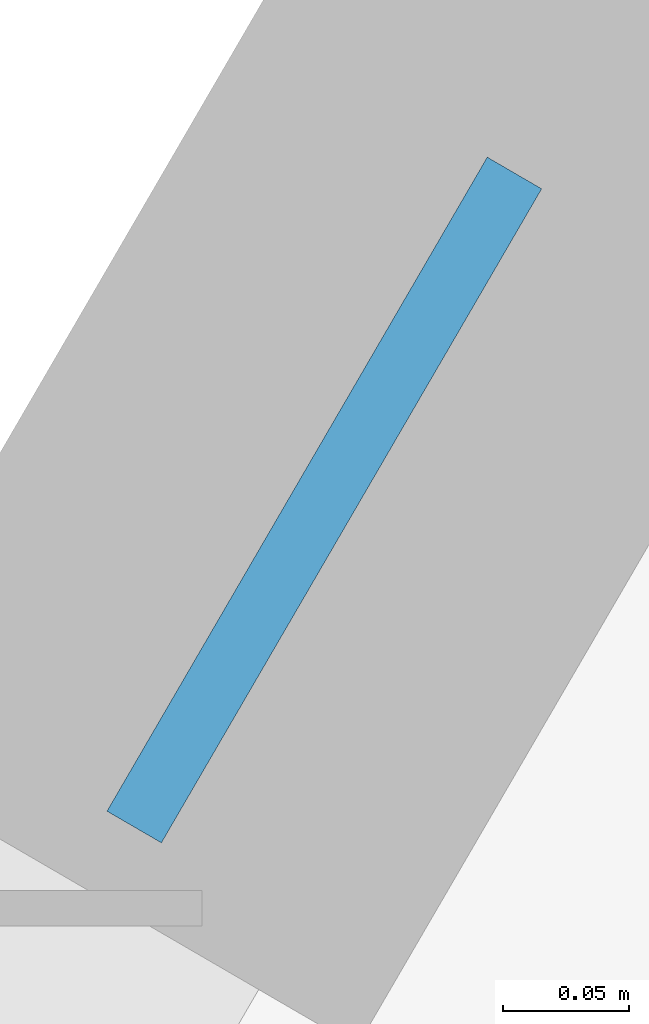
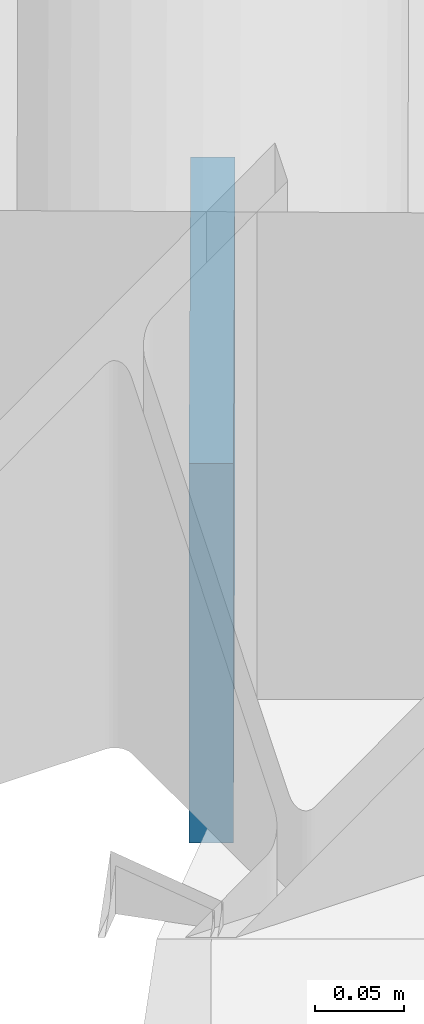
# One storey, part 102 of 130: 1 plate.
"""IFC4 building model written with IfcOpenShell, lengths in metres."""

from ifc_helpers import new_model, si_unit, direction, frame, origin, origin_2d, place, context, subcontext, project, spatial, rectangle, extrude, material, layer, layer_set, type_object, element, save


model = new_model("IFC4")

# Units and contexts
model_context = context("Model", 3, precision=1e-05, world=origin(), true_north=direction((0.0, 1.0)))
body_context = subcontext(model_context, "Body", "Model", "MODEL_VIEW")
ifc_project = project(units=[si_unit("LENGTHUNIT", "METRE"), si_unit("AREAUNIT", "SQUARE_METRE"), si_unit("VOLUMEUNIT", "CUBIC_METRE"), si_unit("PLANEANGLEUNIT", "RADIAN"), si_unit("MASSUNIT", "GRAM", prefix="KILO")], contexts=[model_context])

# Site, building, storey
site_placement = place(None, origin())
site = spatial("IfcSite", under=ifc_project, at=site_placement, CompositionType="ELEMENT")
building_placement = place(site_placement, origin())
building = spatial("IfcBuilding", under=site, at=building_placement, Name="Karori Crest Natural Sciences Institute", CompositionType="ELEMENT")
storey_placement = place(building_placement, frame((0.0, 0.0, 17.5)))
storey = spatial("IfcBuildingStorey", under=building, at=storey_placement, Name="L04", CompositionType="ELEMENT", Elevation=17.5)

# Plate
ifc_material = material(Name="Structural steel AS/NZS 3679.1 Grade 350", Category="steel")
ifc_layer = layer(ifc_material, 0.02490234375, Name="Structural steel AS/NZS 3679.1 Grade 350")
ifc_layer_set = layer_set([ifc_layer], Name="Structural steel AS/NZS 3679.1 Grade 350")
plate_type = type_object("IfcPlateType", Name="PLT-06", PredefinedType="SHEET", material=ifc_layer_set)
plate_placement = place(storey_placement, frame((83.80419921875, 27.390380859375, -0.11962890625), z_axis=(0.0, 0.0, 1.0), x_axis=(0.502651840669, 0.86448893982, 0.0)))
element("IfcPlate", 1, at=plate_placement, inside=storey, type_object=plate_type, Name="Brace gusset plate EP-0047", PredefinedType="SHEET", context=body_context, shape_type="SweptSolid", body=[
    extrude(rectangle(XDim=0.299072265625, YDim=0.02490234375, at=origin_2d()), origin(), (0.0, 0.0, 1.0), 0.259033203125),
])

save(model, "model.ifc")
